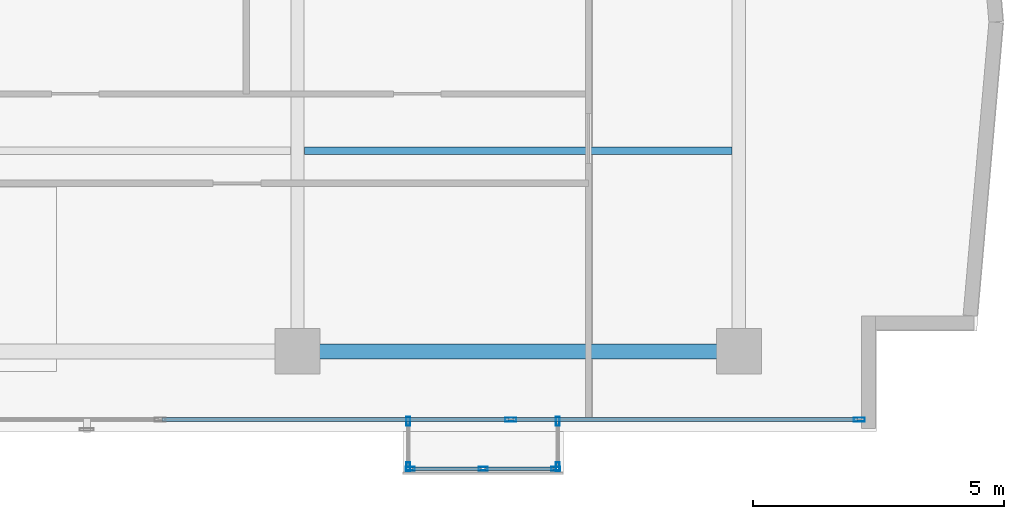
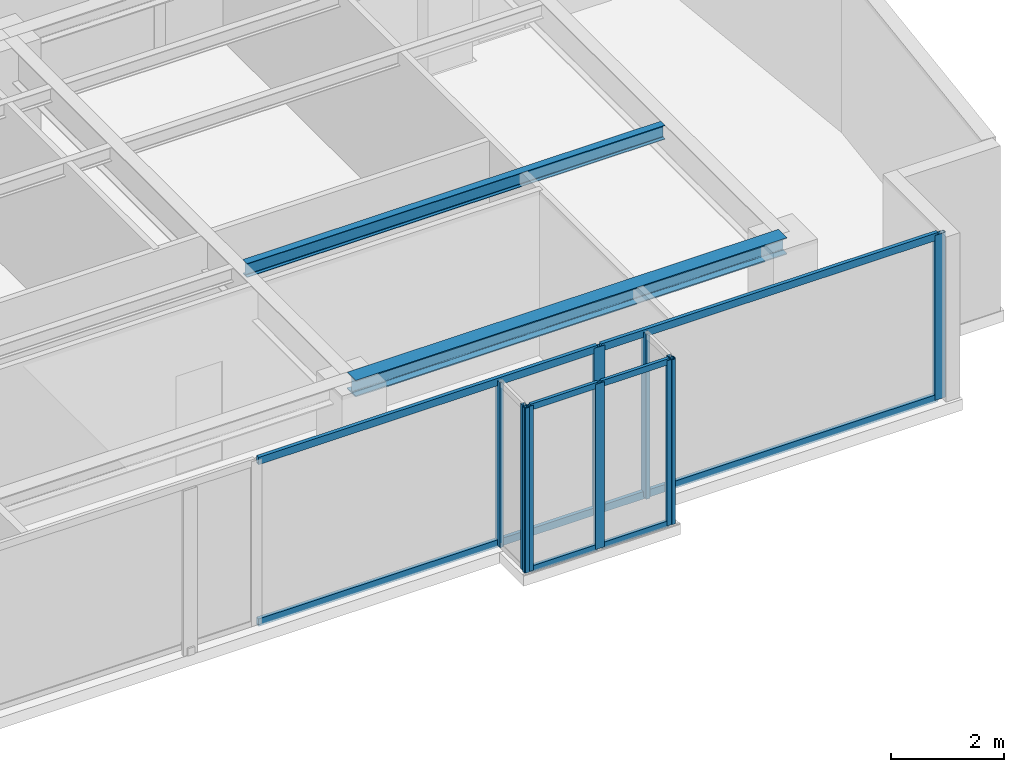
# One storey, part 10 of 23: 17 members, 2 beams, 4 elements without a shape of their own.
"""IFC4 building model written with IfcOpenShell, lengths in metres."""

from ifc_helpers import new_model, si_unit, direction, frame, origin, origin_with_axes, origin_2d, place, context, subcontext, project, spatial, hollow_rectangle, i_section, extrude, source, transform, mapped, material, layer, layer_set, material_profile, profile_set, type_object, element, aggregate, save


model = new_model("IFC4")

# Units and contexts
model_context = context("Model", 3, precision=1e-05, world=origin(), true_north=direction((0.0, 1.0)))
body_context = subcontext(model_context, "Body", "Model", "MODEL_VIEW")
ifc_project = project(units=[si_unit("LENGTHUNIT", "METRE"), si_unit("AREAUNIT", "SQUARE_METRE"), si_unit("VOLUMEUNIT", "CUBIC_METRE"), si_unit("PLANEANGLEUNIT", "RADIAN"), si_unit("MASSUNIT", "GRAM", prefix="KILO")], contexts=[model_context])

# Site, building, storey
site_placement = place(None, origin())
site = spatial("IfcSite", under=ifc_project, at=site_placement, CompositionType="ELEMENT")
building_placement = place(site_placement, origin())
building = spatial("IfcBuilding", under=site, at=building_placement, Name="Kolvaren Waterfront Exchange", CompositionType="ELEMENT")
storey_placement = place(building_placement, frame((0.0, 0.0, 289.39990234375)))
storey = spatial("IfcBuildingStorey", under=building, at=storey_placement, Name="L74", CompositionType="ELEMENT", Elevation=289.39990234375)

# Beams
ifc_material_1 = material(Name="Steel S355", Category="steel")
ifc_material_profile_1 = material_profile(ifc_material_1, i_section(OverallWidth=0.300048828125, OverallDepth=0.360107421875, WebThickness=0.012451171875, FlangeThickness=0.0224609375, FilletRadius=0.027099609375, at=origin_2d()), Name="HEB360")
ifc_profile_set_1 = profile_set([ifc_material_profile_1], Name="Steel S355")
beam_type_1 = type_object("IfcBeamType", Name="STR-BM-HEB360", PredefinedType="SPANDREL", material=ifc_profile_set_1)
beam_1_placement = place(storey_placement, frame((36.800048828125, 5.199951171875, 3.380126953125), z_axis=(1.0, 0.0, 0.0), x_axis=(0.0, 1.0, 0.0)))
element("IfcBeam", 1, at=beam_1_placement, inside=storey, type_object=beam_type_1, Name="L74 east-arm spandrel S3", PredefinedType="SPANDREL", context=body_context, shape_type="SweptSolid", body=[
    extrude(i_section(OverallWidth=0.300048828125, OverallDepth=0.360107421875, WebThickness=0.012451171875, FlangeThickness=0.0224609375, FilletRadius=0.027099609375, at=origin_2d()), origin(), (0.0, 0.0, 1.0), 8.800048828125),
])
ifc_material_profile_2 = material_profile(ifc_material_1, i_section(OverallWidth=0.14990234375, OverallDepth=0.300048828125, WebThickness=0.007080078125, FlangeThickness=0.0107421875, FilletRadius=0.014892578125, at=origin_2d()), Name="IPE300")
ifc_profile_set_2 = profile_set([ifc_material_profile_2], Name="Steel S355")
beam_type_2 = type_object("IfcBeamType", Name="STR-BM-IPE300", PredefinedType="JOIST", material=ifc_profile_set_2)
beam_2_placement = place(storey_placement, frame((36.935546875, 9.199951171875, 3.41015625), z_axis=(1.0, 0.0, 0.0), x_axis=(0.0, 1.0, 0.0)))
element("IfcBeam", 2, at=beam_2_placement, inside=storey, type_object=beam_type_2, Name="L74 east-arm composite joist 3B", PredefinedType="JOIST", context=body_context, shape_type="SweptSolid", body=[
    extrude(i_section(OverallWidth=0.14990234375, OverallDepth=0.300048828125, WebThickness=0.007080078125, FlangeThickness=0.0107421875, FilletRadius=0.014892578125, at=origin_2d()), origin(), (0.0, 0.0, 1.0), 8.529052734375),
])

# Curtain wall, members
ifc_material_2 = material(Name="Anodised bronze aluminium 6063-T6", Category="aluminium")
ifc_layer_1 = layer(ifc_material_2, 0.219970703125, Name="Anodised bronze aluminium 6063-T6")
ifc_layer_set_1 = layer_set([ifc_layer_1], Name="Anodised bronze aluminium 6063-T6")
curtain_wall_type_1 = type_object("IfcCurtainWallType", Name="ARC-CW-SYS3", PredefinedType="USERDEFINED", material=ifc_layer_set_1)
curtain_wall_1_placement = place(storey_placement, origin())
curtain_wall_1 = element("IfcCurtainWall", 3, at=curtain_wall_1_placement, inside=storey, type_object=curtain_wall_type_1, Name="L74 stick curtain wall CW3 (CW-L74-BOX)", ObjectType="STICK CURTAIN WALL", PredefinedType="USERDEFINED")
ifc_material_profile_3 = material_profile(ifc_material_2, hollow_rectangle(XDim=0.06494140625, YDim=0.1298828125, WallThickness=0.00390625, at=origin_2d()), Name="ALU-TRN-130x65x4")
ifc_profile_set_3 = profile_set([ifc_material_profile_3], Name="Anodised bronze aluminium 6063-T6")
member_type_1 = type_object("IfcMemberType", Name="ARC-CWT-130", PredefinedType="USERDEFINED", material=ifc_profile_set_3)
shared_shape_1 = source(origin_with_axes(), body_context, "Body", "SweptSolid", [
    extrude(hollow_rectangle(XDim=0.06494140625, YDim=0.1298828125, WallThickness=0.00390625, at=origin_2d()), origin(), (0.0, 0.0, 1.0), 1.37744140625),
])
member_1_placement = place(storey_placement, frame((39.0849609375, 2.860107421875, 0.03271484375), z_axis=(1.0, 0.0, 0.0), x_axis=(0.0, 1.0, 0.0)))
member_1 = element("IfcMember", 4, at=member_1_placement, type_object=member_type_1, Name="CW3 transom 1.1", ObjectType="TRANSOM", PredefinedType="USERDEFINED", context=body_context, shape_type="MappedRepresentation", body=[
    mapped(shared_shape_1, transform((0.0, 0.0, 0.0), x_axis=(1.0, 0.0, 0.0), y_axis=(0.0, 1.0, 0.0), z_axis=(0.0, 0.0, 1.0), scale=1.0)),
])
member_2_placement = place(storey_placement, frame((39.0849609375, 2.860107421875, 3.527587890625), z_axis=(1.0, 0.0, 0.0), x_axis=(0.0, 1.0, 0.0)))
member_2 = element("IfcMember", 5, at=member_2_placement, type_object=member_type_1, Name="CW3 transom 1.2", ObjectType="TRANSOM", PredefinedType="USERDEFINED", context=body_context, shape_type="MappedRepresentation", body=[
    mapped(shared_shape_1, transform((0.0, 0.0, 0.0), x_axis=(1.0, 0.0, 0.0), y_axis=(0.0, 1.0, 0.0), z_axis=(0.0, 0.0, 1.0), scale=1.0)),
])
member_3_placement = place(storey_placement, frame((40.53759765625, 2.860107421875, 0.03271484375), z_axis=(1.0, 0.0, 0.0), x_axis=(0.0, 1.0, 0.0)))
member_3 = element("IfcMember", 6, at=member_3_placement, type_object=member_type_1, Name="CW3 transom 2.1", ObjectType="TRANSOM", PredefinedType="USERDEFINED", context=body_context, shape_type="MappedRepresentation", body=[
    mapped(shared_shape_1, transform((0.0, 0.0, 0.0), x_axis=(1.0, 0.0, 0.0), y_axis=(0.0, 1.0, 0.0), z_axis=(0.0, 0.0, 1.0), scale=1.0)),
])
member_4_placement = place(storey_placement, frame((40.53759765625, 2.860107421875, 3.527587890625), z_axis=(1.0, 0.0, 0.0), x_axis=(0.0, 1.0, 0.0)))
member_4 = element("IfcMember", 7, at=member_4_placement, type_object=member_type_1, Name="CW3 transom 2.2", ObjectType="TRANSOM", PredefinedType="USERDEFINED", context=body_context, shape_type="MappedRepresentation", body=[
    mapped(shared_shape_1, transform((0.0, 0.0, 0.0), x_axis=(1.0, 0.0, 0.0), y_axis=(0.0, 1.0, 0.0), z_axis=(0.0, 0.0, 1.0), scale=1.0)),
])

curtain_wall_2_placement = place(storey_placement, origin())
curtain_wall_2 = element("IfcCurtainWall", 8, at=curtain_wall_2_placement, inside=storey, type_object=curtain_wall_type_1, Name="L74 stick curtain wall CW3 (CW-L74-BOX-W)", ObjectType="STICK CURTAIN WALL", PredefinedType="USERDEFINED")
ifc_material_profile_4 = material_profile(ifc_material_2, hollow_rectangle(XDim=0.074951171875, YDim=0.179931640625, WallThickness=0.00439453125, at=origin_2d()), Name="ALU-MUL-180x75x4.5")
ifc_profile_set_4 = profile_set([ifc_material_profile_4], Name="Anodised bronze aluminium 6063-T6")
member_type_2 = type_object("IfcMemberType", Name="ARC-CWM-180", PredefinedType="MULLION", material=ifc_profile_set_4)
shared_shape_2 = source(origin_with_axes(), body_context, "Body", "SweptSolid", [
    extrude(hollow_rectangle(XDim=0.074951171875, YDim=0.179931640625, WallThickness=0.00439453125, at=origin_2d()), origin(), (0.0, 0.0, 1.0), 3.56005859375),
])
member_5_placement = place(storey_placement, frame((39.010009765625, 3.802490234375, 0.0), z_axis=(0.0, 0.0, 1.0), x_axis=(1.0, 0.0, 0.0)))
member_5 = element("IfcMember", 9, at=member_5_placement, type_object=member_type_2, Name="CW3 mullion 1", PredefinedType="MULLION", context=body_context, shape_type="MappedRepresentation", body=[
    mapped(shared_shape_2, transform((0.0, 0.0, 0.0), x_axis=(1.0, 0.0, 0.0), y_axis=(0.0, 1.0, 0.0), z_axis=(0.0, 0.0, 1.0), scale=1.0)),
])
member_6_placement = place(storey_placement, frame((39.010009765625, 2.8974609375, 0.0), z_axis=(0.0, 0.0, 1.0), x_axis=(1.0, 0.0, 0.0)))
member_6 = element("IfcMember", 10, at=member_6_placement, type_object=member_type_2, Name="CW3 mullion 2", PredefinedType="MULLION", context=body_context, shape_type="MappedRepresentation", body=[
    mapped(shared_shape_2, transform((0.0, 0.0, 0.0), x_axis=(1.0, 0.0, 0.0), y_axis=(0.0, 1.0, 0.0), z_axis=(0.0, 0.0, 1.0), scale=1.0)),
])
aggregate(curtain_wall_2, [member_5, member_6])

# Member
member_7_placement = place(storey_placement, frame((39.047607421875, 2.860107421875, 0.0), z_axis=(0.0, 0.0, 1.0), x_axis=(0.0, 1.0, 0.0)))
member_7 = element("IfcMember", 11, at=member_7_placement, type_object=member_type_2, Name="CW3 mullion 1", PredefinedType="MULLION", context=body_context, shape_type="MappedRepresentation", body=[
    mapped(shared_shape_2, transform((0.0, 0.0, 0.0), x_axis=(1.0, 0.0, 0.0), y_axis=(0.0, 1.0, 0.0), z_axis=(0.0, 0.0, 1.0), scale=1.0)),
])

member_8_placement = place(storey_placement, frame((40.5, 2.860107421875, 0.0), z_axis=(0.0, 0.0, 1.0), x_axis=(0.0, 1.0, 0.0)))
member_8 = element("IfcMember", 12, at=member_8_placement, type_object=member_type_2, Name="CW3 mullion 2", PredefinedType="MULLION", context=body_context, shape_type="MappedRepresentation", body=[
    mapped(shared_shape_2, transform((0.0, 0.0, 0.0), x_axis=(1.0, 0.0, 0.0), y_axis=(0.0, 1.0, 0.0), z_axis=(0.0, 0.0, 1.0), scale=1.0)),
])

member_9_placement = place(storey_placement, frame((41.952392578125, 2.860107421875, 0.0), z_axis=(0.0, 0.0, 1.0), x_axis=(0.0, 1.0, 0.0)))
member_9 = element("IfcMember", 13, at=member_9_placement, type_object=member_type_2, Name="CW3 mullion 3", PredefinedType="MULLION", context=body_context, shape_type="MappedRepresentation", body=[
    mapped(shared_shape_2, transform((0.0, 0.0, 0.0), x_axis=(1.0, 0.0, 0.0), y_axis=(0.0, 1.0, 0.0), z_axis=(0.0, 0.0, 1.0), scale=1.0)),
])

aggregate(curtain_wall_1, [member_7, member_8, member_9, member_1, member_2, member_3, member_4])

# Curtain wall, members
curtain_wall_3_placement = place(storey_placement, origin())
curtain_wall_3 = element("IfcCurtainWall", 14, at=curtain_wall_3_placement, inside=storey, type_object=curtain_wall_type_1, Name="L74 stick curtain wall CW3 (CW-L74-BOX-E)", ObjectType="STICK CURTAIN WALL", PredefinedType="USERDEFINED")
member_10_placement = place(storey_placement, frame((41.989990234375, 2.8974609375, 0.0), z_axis=(0.0, 0.0, 1.0), x_axis=(-1.0, 0.0, 0.0)))
member_10 = element("IfcMember", 15, at=member_10_placement, type_object=member_type_2, Name="CW3 mullion 1", PredefinedType="MULLION", context=body_context, shape_type="MappedRepresentation", body=[
    mapped(shared_shape_2, transform((0.0, 0.0, 0.0), x_axis=(1.0, 0.0, 0.0), y_axis=(0.0, 1.0, 0.0), z_axis=(0.0, 0.0, 1.0), scale=1.0)),
])
member_11_placement = place(storey_placement, frame((41.989990234375, 3.802490234375, 0.0), z_axis=(0.0, 0.0, 1.0), x_axis=(-1.0, 0.0, 0.0)))
member_11 = element("IfcMember", 16, at=member_11_placement, type_object=member_type_2, Name="CW3 mullion 2", PredefinedType="MULLION", context=body_context, shape_type="MappedRepresentation", body=[
    mapped(shared_shape_2, transform((0.0, 0.0, 0.0), x_axis=(1.0, 0.0, 0.0), y_axis=(0.0, 1.0, 0.0), z_axis=(0.0, 0.0, 1.0), scale=1.0)),
])
aggregate(curtain_wall_3, [member_10, member_11])

ifc_layer_2 = layer(ifc_material_2, 0.219970703125, Name="Anodised bronze aluminium 6063-T6")
ifc_layer_set_2 = layer_set([ifc_layer_2], Name="Anodised bronze aluminium 6063-T6")
curtain_wall_type_2 = type_object("IfcCurtainWallType", Name="ARC-CW-SYS1", PredefinedType="USERDEFINED", material=ifc_layer_set_2)
curtain_wall_4_placement = place(storey_placement, origin())
curtain_wall_4 = element("IfcCurtainWall", 17, at=curtain_wall_4_placement, inside=storey, type_object=curtain_wall_type_2, Name="L74 stick curtain wall CW1 (CW-L74-S)", ObjectType="STICK CURTAIN WALL", PredefinedType="USERDEFINED")
ifc_material_3 = material(Name="Anodised aluminium 6063-T6", Category="aluminium")
ifc_material_profile_5 = material_profile(ifc_material_3, hollow_rectangle(XDim=0.080078125, YDim=0.219970703125, WallThickness=0.0048828125, at=origin_2d()), Name="ALU-MUL-220x80x5")
ifc_profile_set_5 = profile_set([ifc_material_profile_5], Name="Anodised aluminium 6063-T6")
member_type_3 = type_object("IfcMemberType", Name="ARC-CWM-220", PredefinedType="MULLION", material=ifc_profile_set_5)
shared_shape_3 = source(origin_with_axes(), body_context, "Body", "SweptSolid", [
    extrude(hollow_rectangle(XDim=0.080078125, YDim=0.219970703125, WallThickness=0.0048828125, at=origin_2d()), origin(), (0.0, 0.0, 1.0), 3.56005859375),
])
member_12_placement = place(storey_placement, frame((41.0517578125, 3.840087890625, 0.0), z_axis=(0.0, 0.0, 1.0), x_axis=(0.0, 1.0, 0.0)))
member_12 = element("IfcMember", 18, at=member_12_placement, type_object=member_type_3, Name="CW1 mullion 6", PredefinedType="MULLION", context=body_context, shape_type="MappedRepresentation", body=[
    mapped(shared_shape_3, transform((0.0, 0.0, 0.0), x_axis=(1.0, 0.0, 0.0), y_axis=(0.0, 1.0, 0.0), z_axis=(0.0, 0.0, 1.0), scale=1.0)),
])
member_13_placement = place(storey_placement, frame((48.002197265625, 3.840087890625, 0.0), z_axis=(0.0, 0.0, 1.0), x_axis=(0.0, 1.0, 0.0)))
member_13 = element("IfcMember", 19, at=member_13_placement, type_object=member_type_3, Name="CW1 mullion 7", PredefinedType="MULLION", context=body_context, shape_type="MappedRepresentation", body=[
    mapped(shared_shape_3, transform((0.0, 0.0, 0.0), x_axis=(1.0, 0.0, 0.0), y_axis=(0.0, 1.0, 0.0), z_axis=(0.0, 0.0, 1.0), scale=1.0)),
])
ifc_material_profile_6 = material_profile(ifc_material_3, hollow_rectangle(XDim=0.074951171875, YDim=0.159912109375, WallThickness=0.00439453125, at=origin_2d()), Name="ALU-TRN-160x75x4.5")
ifc_profile_set_6 = profile_set([ifc_material_profile_6], Name="Anodised aluminium 6063-T6")
member_type_4 = type_object("IfcMemberType", Name="ARC-CWT-160", PredefinedType="USERDEFINED", material=ifc_profile_set_6)
shared_shape_4 = source(origin_with_axes(), body_context, "Body", "SweptSolid", [
    extrude(hollow_rectangle(XDim=0.074951171875, YDim=0.159912109375, WallThickness=0.00439453125, at=origin_2d()), origin(), (0.0, 0.0, 1.0), 6.870361328125),
])
member_14_placement = place(storey_placement, frame((41.091796875, 3.840087890625, 0.03759765625), z_axis=(1.0, 0.0, 0.0), x_axis=(0.0, 1.0, 0.0)))
member_14 = element("IfcMember", 20, at=member_14_placement, type_object=member_type_4, Name="CW1 transom 6.1", ObjectType="TRANSOM", PredefinedType="USERDEFINED", context=body_context, shape_type="MappedRepresentation", body=[
    mapped(shared_shape_4, transform((0.0, 0.0, 0.0), x_axis=(1.0, 0.0, 0.0), y_axis=(0.0, 1.0, 0.0), z_axis=(0.0, 0.0, 1.0), scale=1.0)),
])
member_15_placement = place(storey_placement, frame((41.091796875, 3.840087890625, 3.522705078125), z_axis=(1.0, 0.0, 0.0), x_axis=(0.0, 1.0, 0.0)))
member_15 = element("IfcMember", 21, at=member_15_placement, type_object=member_type_4, Name="CW1 transom 6.2", ObjectType="TRANSOM", PredefinedType="USERDEFINED", context=body_context, shape_type="MappedRepresentation", body=[
    mapped(shared_shape_4, transform((0.0, 0.0, 0.0), x_axis=(1.0, 0.0, 0.0), y_axis=(0.0, 1.0, 0.0), z_axis=(0.0, 0.0, 1.0), scale=1.0)),
])
shared_shape_5 = source(origin_with_axes(), body_context, "Body", "SweptSolid", [
    extrude(hollow_rectangle(XDim=0.074951171875, YDim=0.159912109375, WallThickness=0.00439453125, at=origin_2d()), origin(), (0.0, 0.0, 1.0), 6.910400390625),
])
member_16_placement = place(storey_placement, frame((34.101318359375, 3.840087890625, 0.03759765625), z_axis=(1.0, 0.0, 0.0), x_axis=(0.0, 1.0, 0.0)))
member_16 = element("IfcMember", 22, at=member_16_placement, type_object=member_type_4, Name="CW1 transom 5.1", ObjectType="TRANSOM", PredefinedType="USERDEFINED", context=body_context, shape_type="MappedRepresentation", body=[
    mapped(shared_shape_5, transform((0.0, 0.0, 0.0), x_axis=(1.0, 0.0, 0.0), y_axis=(0.0, 1.0, 0.0), z_axis=(0.0, 0.0, 1.0), scale=1.0)),
])
member_17_placement = place(storey_placement, frame((34.101318359375, 3.840087890625, 3.522705078125), z_axis=(1.0, 0.0, 0.0), x_axis=(0.0, 1.0, 0.0)))
member_17 = element("IfcMember", 23, at=member_17_placement, type_object=member_type_4, Name="CW1 transom 5.2", ObjectType="TRANSOM", PredefinedType="USERDEFINED", context=body_context, shape_type="MappedRepresentation", body=[
    mapped(shared_shape_5, transform((0.0, 0.0, 0.0), x_axis=(1.0, 0.0, 0.0), y_axis=(0.0, 1.0, 0.0), z_axis=(0.0, 0.0, 1.0), scale=1.0)),
])
aggregate(curtain_wall_4, [member_12, member_13, member_16, member_17, member_14, member_15])

save(model, "model.ifc")
